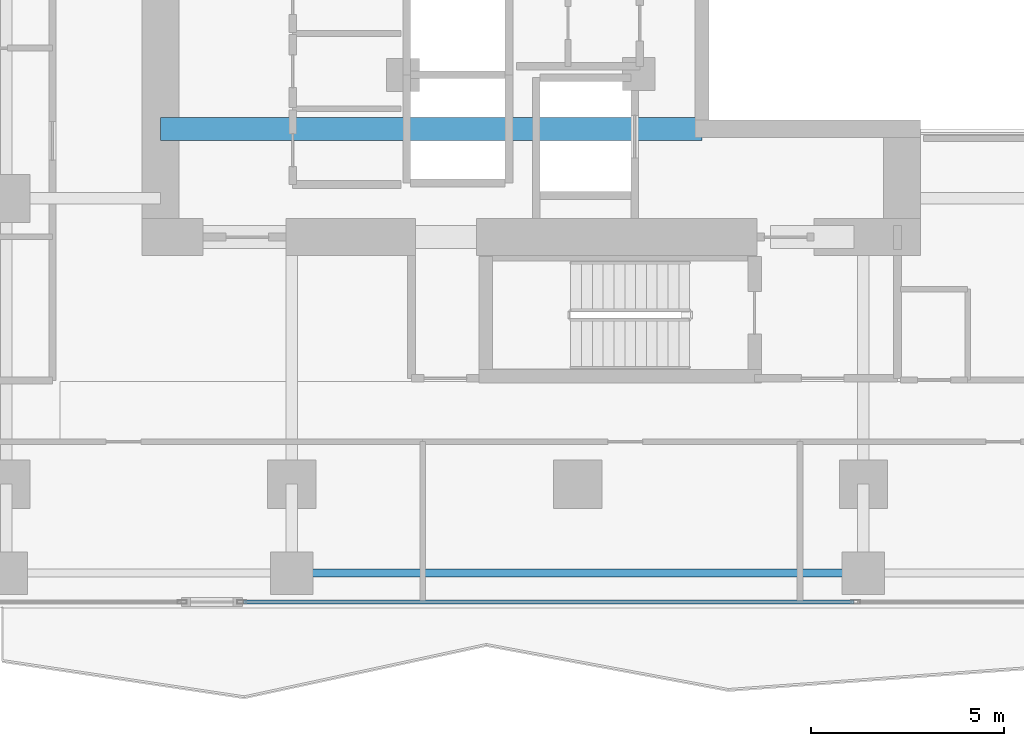
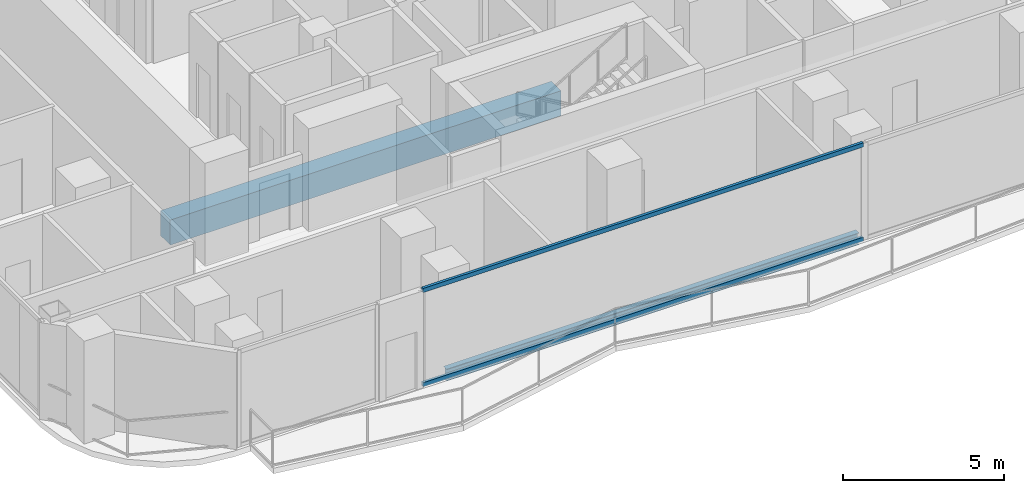
# One storey, part 3 of 26: 2 beams, 2 members, 1 element without a shape of its own.
"""IFC4 building model written with IfcOpenShell, lengths in metres."""

from ifc_helpers import new_model, si_unit, direction, frame, origin, origin_2d, place, context, subcontext, project, spatial, rectangle, hollow_rectangle, i_section, extrude, material, layer, layer_set, material_profile, profile_set, type_object, element, aggregate, save


model = new_model("IFC4")

# Units and contexts
model_context = context("Model", 3, precision=1e-05, world=origin(), true_north=direction((0.0, 1.0)))
body_context = subcontext(model_context, "Body", "Model", "MODEL_VIEW")
ifc_project = project(units=[si_unit("LENGTHUNIT", "METRE"), si_unit("AREAUNIT", "SQUARE_METRE"), si_unit("VOLUMEUNIT", "CUBIC_METRE"), si_unit("PLANEANGLEUNIT", "RADIAN"), si_unit("MASSUNIT", "GRAM", prefix="KILO")], contexts=[model_context])

# Site, building, storey
site_placement = place(None, origin())
site = spatial("IfcSite", under=ifc_project, at=site_placement, CompositionType="ELEMENT")
building_placement = place(site_placement, origin())
building = spatial("IfcBuilding", under=site, at=building_placement, Name="Khorvyn Point Tower", CompositionType="ELEMENT")
storey_placement = place(building_placement, frame((0.0, 0.0, 113.39990234375)))
storey = spatial("IfcBuildingStorey", under=building, at=storey_placement, Name="L28", CompositionType="ELEMENT", Elevation=113.39990234375)

# Curtain wall, members
ifc_material_1 = material(Name="Anodised aluminium 6063-T6 and laminated Low-E glass", Category="aluminium")
ifc_layer = layer(ifc_material_1, 0.18994140625)
ifc_layer_set = layer_set([ifc_layer], Name="Stick-Built Acoustic Curtain Wall CW-SYS-03")
curtain_wall_type = type_object("IfcCurtainWallType", Name="Stick-Built Acoustic Curtain Wall CW-SYS-03", PredefinedType="NOTDEFINED", material=ifc_layer_set)
curtain_wall_placement = place(storey_placement, origin())
curtain_wall = element("IfcCurtainWall", 1, at=curtain_wall_placement, inside=storey, type_object=curtain_wall_type, Name="Curtain Wall", PredefinedType="NOTDEFINED")
ifc_material_2 = material(Name="Anodised aluminium 6063-T6", Category="aluminium")
ifc_material_profile_1 = material_profile(ifc_material_2, hollow_rectangle(XDim=0.10009765625, YDim=0.159912109375, WallThickness=0.00439453125, at=origin_2d()))
ifc_profile_set_1 = profile_set([ifc_material_profile_1], Name="Anodised aluminium 6063-T6 ALU-TRN-100x160")
member_type = type_object("IfcMemberType", Name="Anodised Aluminium 6063-T6 Transom ALU-TRN-100x160", PredefinedType="USERDEFINED", material=ifc_profile_set_1)
member_1_placement = place(storey_placement, frame((7.1494140625, -17.85009765625, 0.050048828125), z_axis=(-1.0, 0.0, 0.0), x_axis=(0.0, -1.0, 0.0)))
member_1 = element("IfcMember", 2, at=member_1_placement, type_object=member_type, Name="Transom", ObjectType="TRANSOM", PredefinedType="USERDEFINED", context=body_context, shape_type="SweptSolid", body=[
    extrude(hollow_rectangle(XDim=0.10009765625, YDim=0.159912109375, WallThickness=0.00439453125, at=origin_2d()), origin(), (0.0, 0.0, 1.0), 15.80029296875),
])
member_2_placement = place(storey_placement, frame((7.1494140625, -17.85009765625, 3.630126953125), z_axis=(-1.0, 0.0, 0.0), x_axis=(0.0, -1.0, 0.0)))
member_2 = element("IfcMember", 3, at=member_2_placement, type_object=member_type, Name="Transom", ObjectType="TRANSOM", PredefinedType="USERDEFINED", context=body_context, shape_type="SweptSolid", body=[
    extrude(hollow_rectangle(XDim=0.10009765625, YDim=0.159912109375, WallThickness=0.00439453125, at=origin_2d()), origin(), (0.0, 0.0, 1.0), 15.80029296875),
])
aggregate(curtain_wall, [member_1, member_2])

# Beams
ifc_material_3 = material(Name="Concrete C50/60", Category="concrete")
ifc_material_profile_2 = material_profile(ifc_material_3, rectangle(XDim=0.60009765625, YDim=0.949951171875, at=origin_2d()))
ifc_profile_set_2 = profile_set([ifc_material_profile_2], Name="Concrete C50/60 RC600x950")
beam_type_1 = type_object("IfcBeamType", Name="Concrete C50/60 Beam RC600x950", PredefinedType="BEAM", material=ifc_profile_set_2)
beam_1_placement = place(storey_placement, frame((-10.800048828125, -5.60009765625, -0.69482421875), z_axis=(1.0, 0.0, 0.0), x_axis=(0.0, 1.0, 0.0)))
element("IfcBeam", 4, at=beam_1_placement, inside=storey, type_object=beam_type_1, Name="L28 Core Internal Tie Girder S", PredefinedType="BEAM", context=body_context, shape_type="SweptSolid", body=[
    extrude(rectangle(XDim=0.60009765625, YDim=0.949951171875, at=origin_2d()), origin(), (0.0, 0.0, 1.0), 14.02001953125),
])
ifc_material_4 = material(Name="Steel S355", Category="steel")
ifc_material_profile_3 = material_profile(ifc_material_4, i_section(OverallWidth=0.199951171875, OverallDepth=0.449951171875, WebThickness=0.009033203125, FlangeThickness=0.013916015625, at=origin_2d()))
ifc_profile_set_3 = profile_set([ifc_material_profile_3], Name="Steel S355 H450x200x9x14")
beam_type_2 = type_object("IfcBeamType", Name="Steel S355 Spandrel H450x200x9x14", PredefinedType="SPANDREL", material=ifc_profile_set_3)
beam_2_placement = place(storey_placement, frame((-7.39990234375, -17.10009765625, -0.44482421875), z_axis=(1.0, 0.0, 0.0), x_axis=(0.0, 1.0, 0.0)))
element("IfcBeam", 5, at=beam_2_placement, inside=storey, type_object=beam_type_2, Name="Beam", PredefinedType="SPANDREL", context=body_context, shape_type="SweptSolid", body=[
    extrude(i_section(OverallWidth=0.199951171875, OverallDepth=0.449951171875, WebThickness=0.009033203125, FlangeThickness=0.013916015625, at=origin_2d()), origin(), (0.0, 0.0, 1.0), 14.7998046875),
])

save(model, "model.ifc")
